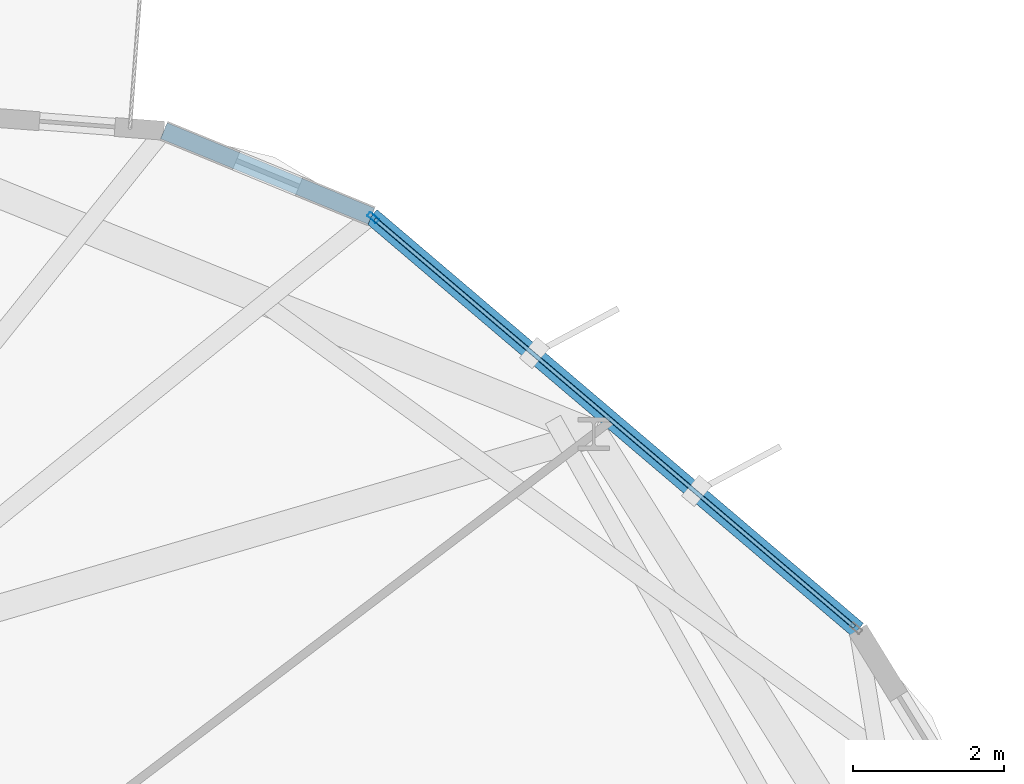
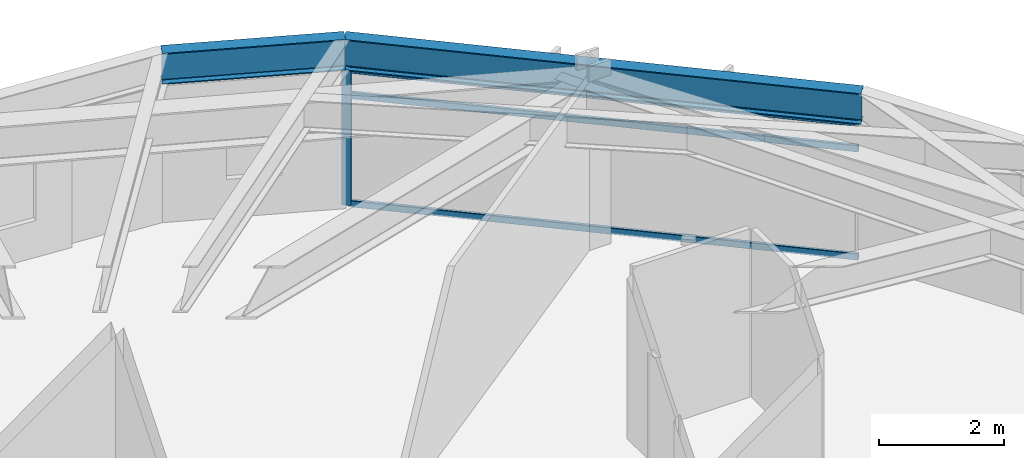
# One storey, part 13 of 21: 4 members, 2 beams, 1 element without a shape of its own.
"""IFC4 building model written with IfcOpenShell, lengths in metres."""

from ifc_helpers import new_model, si_unit, direction, frame, origin, origin_2d, place, context, subcontext, project, spatial, hollow_rectangle, i_section, extrude, material, layer, layer_set, material_profile, profile_set, type_object, element, aggregate, save


model = new_model("IFC4")

# Units and contexts
model_context = context("Model", 3, precision=1e-05, world=origin(), true_north=direction((0.0, 1.0)))
body_context = subcontext(model_context, "Body", "Model", "MODEL_VIEW")
ifc_project = project(units=[si_unit("LENGTHUNIT", "METRE"), si_unit("AREAUNIT", "SQUARE_METRE"), si_unit("VOLUMEUNIT", "CUBIC_METRE"), si_unit("PLANEANGLEUNIT", "RADIAN"), si_unit("MASSUNIT", "GRAM", prefix="KILO")], contexts=[model_context])

# Site, building, storey
site_placement = place(None, origin())
site = spatial("IfcSite", under=ifc_project, at=site_placement, CompositionType="ELEMENT")
building_placement = place(site_placement, origin())
building = spatial("IfcBuilding", under=site, at=building_placement, Name="Soratama Intermodal Tower", CompositionType="ELEMENT")
storey_placement = place(building_placement, frame((0.0, 0.0, 149.800048828125)))
storey = spatial("IfcBuildingStorey", under=building, at=storey_placement, Name="L36", CompositionType="ELEMENT", Elevation=149.800048828125)

# Beams
ifc_material_1 = material(Name="Structural steel ASTM A992 Grade 50", Category="steel")
ifc_material_profile_1 = material_profile(ifc_material_1, i_section(OverallWidth=0.22900390625, OverallDepth=0.612060546875, WebThickness=0.011962890625, FlangeThickness=0.01953125, FilletRadius=0.012939453125, at=origin_2d()), Name="W24X84")
ifc_profile_set_1 = profile_set([ifc_material_profile_1], Name="Structural steel ASTM A992 Grade 50")
beam_type = type_object("IfcBeamType", Name="BM-SPN-W24X84", PredefinedType="SPANDREL", material=ifc_profile_set_1)
beam_1_placement = place(storey_placement, frame((59.739013671875, 35.81591796875, 2.993896484375), z_axis=(-0.761731615954, 0.647892695789, 0.0), x_axis=(-0.647892695789, -0.761731615954, 0.0)))
element("IfcBeam", 1, at=beam_1_placement, inside=storey, type_object=beam_type, Name="BS-L36-F01", PredefinedType="SPANDREL", context=body_context, shape_type="SweptSolid", body=[
    extrude(i_section(OverallWidth=0.22900390625, OverallDepth=0.612060546875, WebThickness=0.011962890625, FlangeThickness=0.01953125, FilletRadius=0.012939453125, at=origin_2d()), origin(), (0.0, 0.0, 1.0), 8.441162109375),
])
beam_2_placement = place(storey_placement, frame((53.30908203125, 41.284912109375, 2.993896484375), z_axis=(-0.924724111608, 0.380638039889, 0.0), x_axis=(-0.380638039889, -0.924724111608, 0.0)))
element("IfcBeam", 2, at=beam_2_placement, inside=storey, type_object=beam_type, Name="BS-L36-CRN01", PredefinedType="SPANDREL", context=body_context, shape_type="SweptSolid", body=[
    extrude(i_section(OverallWidth=0.22900390625, OverallDepth=0.612060546875, WebThickness=0.011962890625, FlangeThickness=0.01953125, FilletRadius=0.012939453125, at=origin_2d()), origin(), (0.0, 0.0, 1.0), 2.966552734375),
])

# Curtain wall, members
ifc_material_2 = material(Name="Double-glazed aluminium curtain wall", Category="aluminium")
ifc_layer = layer(ifc_material_2, 0.159912109375)
ifc_layer_set = layer_set([ifc_layer], Name="Double-glazed aluminium curtain wall")
curtain_wall_type = type_object("IfcCurtainWallType", Name="CW-SYS-4", PredefinedType="NOTDEFINED", material=ifc_layer_set)
curtain_wall_placement = place(storey_placement, origin())
curtain_wall = element("IfcCurtainWall", 3, at=curtain_wall_placement, inside=storey, type_object=curtain_wall_type, Name="L36 Faceted Curtain Wall F01", PredefinedType="NOTDEFINED")
ifc_material_3 = material(Name="Anodised aluminium AA 6063-T6", Category="aluminium")
ifc_material_profile_2 = material_profile(ifc_material_3, hollow_rectangle(XDim=0.070068359375, YDim=0.159912109375, WallThickness=0.0048828125, InnerFilletRadius=0.0048828125, OuterFilletRadius=0.010009765625, at=origin_2d()), Name="CWM160X70X5")
ifc_profile_set_2 = profile_set([ifc_material_profile_2], Name="Anodised aluminium AA 6063-T6")
member_type_1 = type_object("IfcMemberType", Name="MT-CWM-4", PredefinedType="MULLION", material=ifc_profile_set_2)
member_1_placement = place(storey_placement, frame((53.332275390625, 41.265380859375, 0.0), z_axis=(0.0, 0.0, 1.0), x_axis=(-0.647857493504, -0.761761555942, 0.0)))
member_1 = element("IfcMember", 4, at=member_1_placement, type_object=member_type_1, Name="CW-4 mullion 2", PredefinedType="MULLION", context=body_context, shape_type="SweptSolid", body=[
    extrude(hollow_rectangle(XDim=0.070068359375, YDim=0.159912109375, WallThickness=0.0048828125, InnerFilletRadius=0.0048828125, OuterFilletRadius=0.010009765625, at=origin_2d()), origin(), (0.0, 0.0, 1.0), 2.678955078125),
])
ifc_material_4 = material(Name="Anodised aluminium AA 6063-T6", Category="aluminium")
ifc_material_profile_3 = material_profile(ifc_material_4, hollow_rectangle(XDim=0.06005859375, YDim=0.1298828125, WallThickness=0.0048828125, InnerFilletRadius=0.0048828125, OuterFilletRadius=0.010009765625, at=origin_2d()), Name="CWT130X60X5")
ifc_profile_set_3 = profile_set([ifc_material_profile_3], Name="Anodised aluminium AA 6063-T6")
member_type_2 = type_object("IfcMemberType", Name="TT-CWT-2", PredefinedType="USERDEFINED", material=ifc_profile_set_3)
member_2_placement = place(storey_placement, frame((59.693359375, 35.85546875, 0.030029296875), z_axis=(-0.761763361781, 0.647855370162, 0.0), x_axis=(-0.647855370162, -0.761763361781, 0.0)))
member_2 = element("IfcMember", 5, at=member_2_placement, type_object=member_type_2, Name="CW-4 transom 1.1", ObjectType="TRANSOM", PredefinedType="USERDEFINED", context=body_context, shape_type="SweptSolid", body=[
    extrude(hollow_rectangle(XDim=0.06005859375, YDim=0.1298828125, WallThickness=0.0048828125, InnerFilletRadius=0.0048828125, OuterFilletRadius=0.010009765625, at=origin_2d()), origin(), (0.0, 0.0, 1.0), 8.3203125),
])
member_3_placement = place(storey_placement, frame((59.693359375, 35.85546875, 2.14990234375), z_axis=(-0.761763361781, 0.647855370162, 0.0), x_axis=(-0.647855370162, -0.761763361781, 0.0)))
member_3 = element("IfcMember", 6, at=member_3_placement, type_object=member_type_2, Name="CW-4 transom 1.2", ObjectType="TRANSOM", PredefinedType="USERDEFINED", context=body_context, shape_type="SweptSolid", body=[
    extrude(hollow_rectangle(XDim=0.06005859375, YDim=0.1298828125, WallThickness=0.0048828125, InnerFilletRadius=0.0048828125, OuterFilletRadius=0.010009765625, at=origin_2d()), origin(), (0.0, 0.0, 1.0), 8.3203125),
])
member_4_placement = place(storey_placement, frame((59.693359375, 35.85546875, 2.64892578125), z_axis=(-0.761763361781, 0.647855370162, 0.0), x_axis=(-0.647855370162, -0.761763361781, 0.0)))
member_4 = element("IfcMember", 7, at=member_4_placement, type_object=member_type_2, Name="CW-4 transom 1.3", ObjectType="TRANSOM", PredefinedType="USERDEFINED", context=body_context, shape_type="SweptSolid", body=[
    extrude(hollow_rectangle(XDim=0.06005859375, YDim=0.1298828125, WallThickness=0.0048828125, InnerFilletRadius=0.0048828125, OuterFilletRadius=0.010009765625, at=origin_2d()), origin(), (0.0, 0.0, 1.0), 8.3203125),
])
aggregate(curtain_wall, [member_1, member_2, member_3, member_4])

save(model, "model.ifc")
